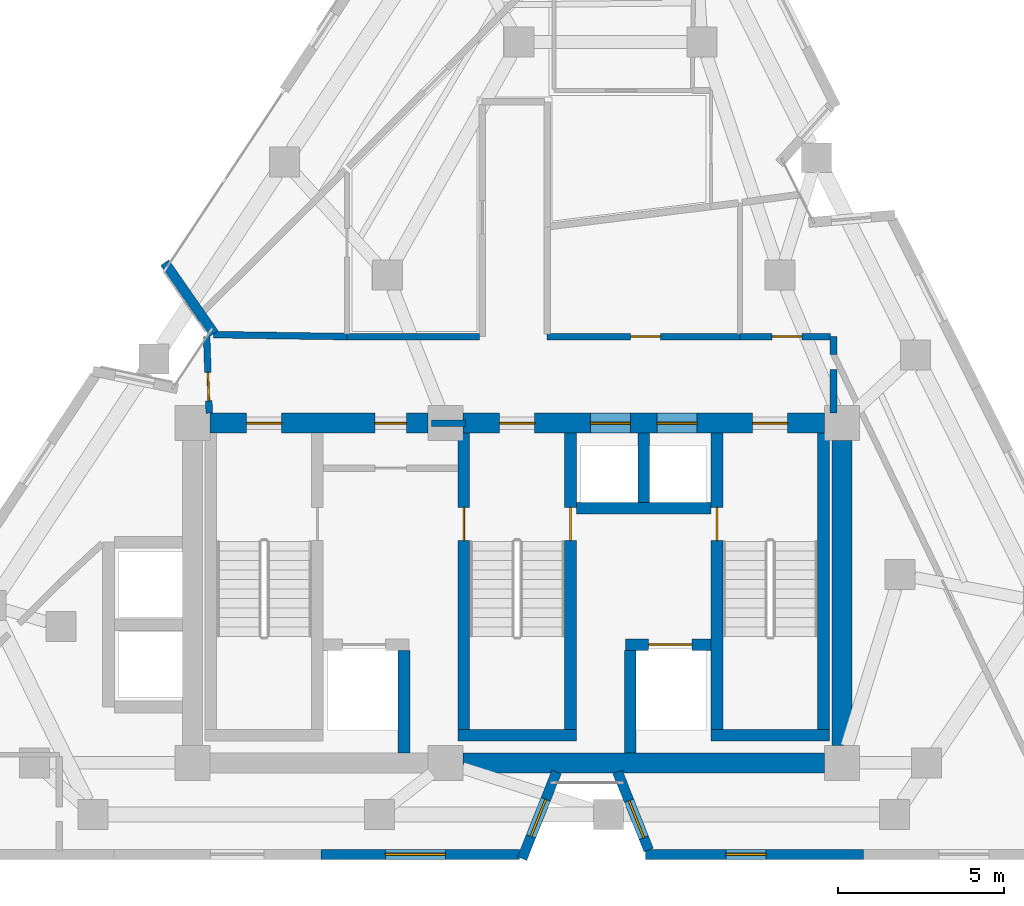
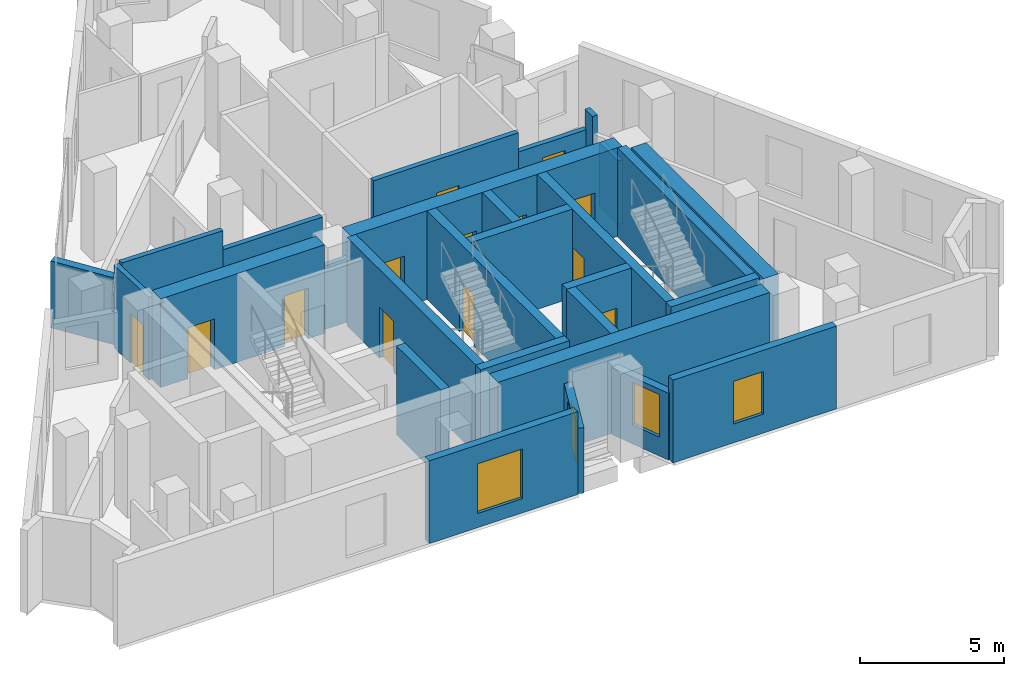
# One storey, part 5 of 8: 28 walls, 13 doors, 4 windows, 17 openings.
"""IFC4 building model written with IfcOpenShell, lengths in metres."""

from ifc_helpers import new_model, si_unit, direction, frame, frame_2d, origin, place, context, subcontext, project, spatial, rectangle, extrude, material, layer, layer_set, type_object, element, fill, save


model = new_model("IFC4")

# Units and contexts
model_context = context("Model", 3, precision=1e-05, world=origin(), true_north=direction((0.0, 1.0)))
body_context = subcontext(model_context, "Body", "Model", "MODEL_VIEW")
ifc_project = project(units=[si_unit("LENGTHUNIT", "METRE"), si_unit("AREAUNIT", "SQUARE_METRE"), si_unit("VOLUMEUNIT", "CUBIC_METRE"), si_unit("PLANEANGLEUNIT", "RADIAN"), si_unit("MASSUNIT", "GRAM", prefix="KILO")], contexts=[model_context])

# Site, building, storey
site_placement = place(None, origin())
site = spatial("IfcSite", under=ifc_project, at=site_placement, CompositionType="ELEMENT")
building_placement = place(site_placement, origin())
building = spatial("IfcBuilding", under=site, at=building_placement, Name="Almagre Mirador Tower", CompositionType="ELEMENT")
storey_placement = place(building_placement, frame((0.0, 0.0, 263.25)))
storey = spatial("IfcBuildingStorey", under=building, at=storey_placement, Name="L68", CompositionType="ELEMENT", Elevation=263.25)

# Wall
ifc_material_1 = material(Name="Precast concrete C50/60", Category="concrete")
ifc_layer_1 = layer(ifc_material_1, 0.300048828125)
ifc_layer_set_1 = layer_set([ifc_layer_1], Name="Precast concrete C50/60")
wall_type_1 = type_object("IfcWallType", Name="WAL-EXT-300", PredefinedType="SOLIDWALL", material=ifc_layer_set_1)
wall_1_placement = place(storey_placement, frame((28.19287109375, 17.443115234375, 0.0), z_axis=(0.0, 0.0, 1.0), x_axis=(-0.570819039355, 0.821075894367, 0.0)))
element("IfcWall", 1, at=wall_1_placement, inside=storey, type_object=wall_type_1, Name="L68 expressed almagre precast frame wall 02", PredefinedType="SOLIDWALL", context=body_context, shape_type="SweptSolid", body=[
    extrude(rectangle(XDim=2.593994140625, YDim=0.300048828125, at=frame_2d((1.296875, 0.0))), origin(), (0.0, 0.0, 1.0), 2.824951171875),
])

# Wall, opening, window
wall_2_placement = place(storey_placement, frame((47.699951171875, 1.800048828125, 0.0), z_axis=(0.0, 0.0, 1.0), x_axis=(-1.0, 0.0, 0.0)))
wall_2 = element("IfcWall", 2, at=wall_2_placement, inside=storey, type_object=wall_type_1, Name="L68 expressed almagre precast frame wall 21", PredefinedType="SOLIDWALL", context=body_context, shape_type="SweptSolid", body=[
    extrude(rectangle(XDim=6.5400390625, YDim=0.300048828125, at=frame_2d((3.27001953125, 0.0))), origin(), (0.0, 0.0, 1.0), 3.5),
])
opening_1_placement = place(wall_2_placement, frame((2.925048828125, 0.0, 0.800048828125)))
opening_1 = element("IfcOpeningElement", 3, at=opening_1_placement, cuts=wall_2, Name="Opening WN-04", PredefinedType="OPENING", context=body_context, shape_type="SweptSolid", body=[
    extrude(rectangle(XDim=1.199951171875, YDim=1.800048828125, at=frame_2d((0.60009765625, 0.89990234375))), frame((0.0, 0.159902, 0.0), z_axis=(0.0, -1.0, 0.0), x_axis=(1.0, 0.0, 0.0)), (0.0, 0.0, 1.0), 0.320049),
])
ifc_material_2 = material(Name="Dark solar-control laminated hurricane glass", Category="glass")
window_type_1 = type_object("IfcWindowType", Name="WIN-1200X1800", PartitioningType="SINGLE_PANEL", PredefinedType="WINDOW", material=ifc_material_2)
window_1_placement = place(opening_1_placement, origin())
window_1 = element("IfcWindow", 4, at=window_1_placement, inside=storey, type_object=window_type_1, Name="L68 recessed hurricane window L68-UB-BT", OverallHeight=1.800048828125, OverallWidth=1.199951171875, PartitioningType="SINGLE_PANEL", PredefinedType="WINDOW", context=body_context, shape_type="SweptSolid", body=[
    extrude(rectangle(XDim=1.199951171875, YDim=1.800048828125, at=frame_2d((0.60009765625, 0.89990234375))), frame((0.0, 0.030029296875, 0.0), z_axis=(0.0, -1.0, 0.0), x_axis=(1.0, 0.0, 0.0)), (0.0, 0.0, 1.0), 0.06005859375),
])
fill(opening_1, window_1)

wall_3_placement = place(storey_placement, frame((41.248291015625, 1.93017578125, 0.0), z_axis=(0.0, 0.0, 1.0), x_axis=(-0.36953712681, 0.929215966236, 0.0)))
wall_3 = element("IfcWall", 5, at=wall_3_placement, inside=storey, type_object=wall_type_1, Name="L68 expressed almagre precast frame wall 22", PredefinedType="SOLIDWALL", context=body_context, shape_type="SweptSolid", body=[
    extrude(rectangle(XDim=2.521728515625, YDim=0.300048828125, at=frame_2d((1.2607421875, 0.0))), origin(), (0.0, 0.0, 1.0), 2.824951171875),
])
opening_2_placement = place(wall_3_placement, frame((0.39501953125, 0.0, 0.800048828125)))
opening_2 = element("IfcOpeningElement", 6, at=opening_2_placement, cuts=wall_3, Name="Opening WN-04", PredefinedType="OPENING", context=body_context, shape_type="SweptSolid", body=[
    extrude(rectangle(XDim=1.199951171875, YDim=1.800048828125, at=frame_2d((0.60009765625, 0.89990234375))), frame((0.0, 0.159902, 0.0), z_axis=(0.0, -1.0, 0.0), x_axis=(1.0, 0.0, 0.0)), (0.0, 0.0, 1.0), 0.320049),
])
window_2_placement = place(opening_2_placement, origin())
window_2 = element("IfcWindow", 7, at=window_2_placement, inside=storey, type_object=window_type_1, Name="L68 recessed hurricane window L68-UB-BT", OverallHeight=1.800048828125, OverallWidth=1.199951171875, PartitioningType="SINGLE_PANEL", PredefinedType="WINDOW", context=body_context, shape_type="SweptSolid", body=[
    extrude(rectangle(XDim=1.199951171875, YDim=1.800048828125, at=frame_2d((0.60009765625, 0.89990234375))), frame((0.0, 0.030029296875, 0.0), z_axis=(0.0, -1.0, 0.0), x_axis=(1.0, 0.0, 0.0)), (0.0, 0.0, 1.0), 0.06005859375),
])
fill(opening_2, window_2)

wall_4_placement = place(storey_placement, frame((38.483642578125, 4.2734375, 0.0), z_axis=(0.0, 0.0, 1.0), x_axis=(-0.369542065233, -0.929214002275, 0.0)))
wall_4 = element("IfcWall", 8, at=wall_4_placement, inside=storey, type_object=wall_type_1, Name="L68 expressed almagre precast frame wall 23", PredefinedType="SOLIDWALL", context=body_context, shape_type="SweptSolid", body=[
    extrude(rectangle(XDim=2.8017578125, YDim=0.300048828125, at=frame_2d((1.40087890625, 0.0))), origin(), (0.0, 0.0, 1.0), 2.76904296875),
])
opening_3_placement = place(wall_4_placement, frame((0.883056640625, 0.0, 0.800048828125)))
opening_3 = element("IfcOpeningElement", 9, at=opening_3_placement, cuts=wall_4, Name="Opening WN-04", PredefinedType="OPENING", context=body_context, shape_type="SweptSolid", body=[
    extrude(rectangle(XDim=1.199951171875, YDim=1.800048828125, at=frame_2d((0.60009765625, 0.89990234375))), frame((0.0, 0.159902, 0.0), z_axis=(0.0, -1.0, 0.0), x_axis=(1.0, 0.0, 0.0)), (0.0, 0.0, 1.0), 0.320049),
])
window_3_placement = place(opening_3_placement, origin())
window_3 = element("IfcWindow", 10, at=window_3_placement, inside=storey, type_object=window_type_1, Name="L68 recessed hurricane window L68-UB-BT", OverallHeight=1.800048828125, OverallWidth=1.199951171875, PartitioningType="SINGLE_PANEL", PredefinedType="WINDOW", context=body_context, shape_type="SweptSolid", body=[
    extrude(rectangle(XDim=1.199951171875, YDim=1.800048828125, at=frame_2d((0.60009765625, 0.89990234375))), frame((0.0, 0.030029296875, 0.0), z_axis=(0.0, -1.0, 0.0), x_axis=(1.0, 0.0, 0.0)), (0.0, 0.0, 1.0), 0.06005859375),
])
fill(opening_3, window_3)

wall_5_placement = place(storey_placement, frame((37.364990234375, 1.800048828125, 0.0), z_axis=(0.0, 0.0, 1.0), x_axis=(-1.0, 0.0, 0.0)))
wall_5 = element("IfcWall", 11, at=wall_5_placement, inside=storey, type_object=wall_type_1, Name="L68 expressed almagre precast frame wall 24", PredefinedType="SOLIDWALL", context=body_context, shape_type="SweptSolid", body=[
    extrude(rectangle(XDim=5.95166015625, YDim=0.300048828125, at=frame_2d((2.975830078125, 0.0))), origin(), (0.0, 0.0, 1.0), 3.5),
])
opening_4_placement = place(wall_5_placement, frame((2.22509765625, 0.0, 0.60009765625)))
opening_4 = element("IfcOpeningElement", 12, at=opening_4_placement, cuts=wall_5, Name="Opening WN-01", PredefinedType="OPENING", context=body_context, shape_type="SweptSolid", body=[
    extrude(rectangle(XDim=1.800048828125, YDim=2.10009765625, at=frame_2d((0.89990234375, 1.050048828125))), frame((0.0, 0.159902, 0.0), z_axis=(0.0, -1.0, 0.0), x_axis=(1.0, 0.0, 0.0)), (0.0, 0.0, 1.0), 0.320049),
])
ifc_material_3 = material(Name="Dark solar-control laminated hurricane glass", Category="glass")
window_type_2 = type_object("IfcWindowType", Name="WIN-1800X2100", PartitioningType="DOUBLE_PANEL_VERTICAL", PredefinedType="WINDOW", material=ifc_material_3)
window_4_placement = place(opening_4_placement, origin())
window_4 = element("IfcWindow", 13, at=window_4_placement, inside=storey, type_object=window_type_2, Name="L68 recessed hurricane window L68-UB-ST", OverallHeight=2.10009765625, OverallWidth=1.800048828125, PartitioningType="SINGLE_PANEL", PredefinedType="WINDOW", context=body_context, shape_type="SweptSolid", body=[
    extrude(rectangle(XDim=1.800048828125, YDim=2.10009765625, at=frame_2d((0.89990234375, 1.050048828125))), frame((0.0, 0.030029296875, 0.0), z_axis=(0.0, -1.0, 0.0), x_axis=(1.0, 0.0, 0.0)), (0.0, 0.0, 1.0), 0.06005859375),
])
fill(opening_4, window_4)

# Walls
ifc_material_4 = material(Name="Gypsum acoustic stud partition", Category="other")
ifc_layer_2 = layer(ifc_material_4, 0.199951171875)
ifc_layer_set_2 = layer_set([ifc_layer_2], Name="Gypsum acoustic stud partition")
wall_type_2 = type_object("IfcWallType", Name="WAL-PRT-200-EI60", PredefinedType="PARTITIONING", material=ifc_layer_set_2)
wall_6_placement = place(storey_placement, frame((34.719970703125, 14.75, 0.0), z_axis=(0.0, 0.0, 1.0), x_axis=(1.0, 0.0, 0.0)))
element("IfcWall", 14, at=wall_6_placement, inside=storey, type_object=wall_type_2, Name="L68 core north closure wall", PredefinedType="PARTITIONING", context=body_context, shape_type="SweptSolid", body=[
    extrude(rectangle(XDim=1.030029296875, YDim=0.199951171875, at=frame_2d((0.51513671875, 0.0))), origin(), (0.0, 0.0, 1.0), 2.68505859375),
])
wall_7_placement = place(storey_placement, frame((46.800048828125, 15.050048828125, 0.0), z_axis=(0.0, 0.0, 1.0), x_axis=(0.0, 1.0, 0.0)))
element("IfcWall", 15, at=wall_7_placement, inside=storey, type_object=wall_type_2, Name="L68 interior partition 001", PredefinedType="PARTITIONING", context=body_context, shape_type="SweptSolid", body=[
    extrude(rectangle(XDim=1.30810546875, YDim=0.199951171875, at=frame_2d((0.654052734375, 0.0))), origin(), (0.0, 0.0, 1.0), 2.68505859375),
])

# Wall, opening, door
wall_8_placement = place(storey_placement, frame((27.97509765625, 17.35009765625, 0.0), z_axis=(0.0, 0.0, 1.0), x_axis=(0.032569486082, -0.999469473559, 0.0)))
wall_8 = element("IfcWall", 16, at=wall_8_placement, inside=storey, type_object=wall_type_2, Name="L68 interior partition 002", PredefinedType="PARTITIONING", context=body_context, shape_type="SweptSolid", body=[
    extrude(rectangle(XDim=2.30126953125, YDim=0.199951171875, at=frame_2d((1.150634765625, 0.0))), origin(), (0.0, 0.0, 1.0), 3.5),
])
opening_5_placement = place(wall_8_placement, frame((1.076904296875, 0.0, 0.0)))
opening_5 = element("IfcOpeningElement", 17, at=opening_5_placement, cuts=wall_8, Name="Opening ID-06", PredefinedType="OPENING", context=body_context, shape_type="SweptSolid", body=[
    extrude(rectangle(XDim=0.85009765625, YDim=2.10009765625, at=frame_2d((0.425048828125, 1.050048828125))), frame((0.0, 0.110098, 0.0), z_axis=(0.0, -1.0, 0.0), x_axis=(1.0, 0.0, 0.0)), (0.0, 0.0, 1.0), 0.219951),
])
ifc_material_5 = material(Name="Fire-rated hollow steel", Category="steel")
door_type_1 = type_object("IfcDoorType", Name="DOR-FD60-850X2100", OperationType="NOTDEFINED", PredefinedType="DOOR", material=ifc_material_5)
door_1_placement = place(opening_5_placement, origin())
door_1 = element("IfcDoor", 18, at=door_1_placement, inside=storey, type_object=door_type_1, Name="DR-2077 L68 interior door L68-RCOR to L68-RST-D", OperationType="SINGLE_SWING_RIGHT", OverallHeight=2.10009765625, OverallWidth=0.85009765625, PredefinedType="DOOR", context=body_context, shape_type="SweptSolid", body=[
    extrude(rectangle(XDim=0.85009765625, YDim=2.10009765625, at=frame_2d((0.425048828125, 1.050048828125))), frame((0.0, 0.02490234375, 0.0), z_axis=(0.0, -1.0, 0.0), x_axis=(1.0, 0.0, 0.0)), (0.0, 0.0, 1.0), 0.050048828125),
])
fill(opening_5, door_1)

# Wall
wall_9_placement = place(storey_placement, frame((46.800048828125, 16.820068359375, 0.0), z_axis=(0.0, 0.0, 1.0), x_axis=(0.0, 1.0, 0.0)))
element("IfcWall", 19, at=wall_9_placement, inside=storey, type_object=wall_type_2, Name="L68 interior partition 003", PredefinedType="PARTITIONING", context=body_context, shape_type="SweptSolid", body=[
    extrude(rectangle(XDim=0.530029296875, YDim=0.199951171875, at=frame_2d((0.26513671875, 0.0))), origin(), (0.0, 0.0, 1.0), 3.5),
])

# Wall, opening, door
wall_10_placement = place(storey_placement, frame((46.715087890625, 17.35009765625, 0.0), z_axis=(0.0, 0.0, 1.0), x_axis=(-1.0, 0.0, 0.0)))
wall_10 = element("IfcWall", 20, at=wall_10_placement, inside=storey, type_object=wall_type_2, Name="L68 interior partition 004", PredefinedType="PARTITIONING", context=body_context, shape_type="SweptSolid", body=[
    extrude(rectangle(XDim=2.715087890625, YDim=0.199951171875, at=frame_2d((1.357421875, 0.0))), origin(), (0.0, 0.0, 1.0), 2.68505859375),
])
opening_6_placement = place(wall_10_placement, frame((0.864990234375, 0.0, 0.0)))
opening_6 = element("IfcOpeningElement", 21, at=opening_6_placement, cuts=wall_10, Name="Opening ID-03", PredefinedType="OPENING", context=body_context, shape_type="SweptSolid", body=[
    extrude(rectangle(XDim=0.89990234375, YDim=2.10009765625, at=frame_2d((0.449951171875, 1.050048828125))), frame((0.0, 0.110098, 0.0), z_axis=(0.0, -1.0, 0.0), x_axis=(1.0, 0.0, 0.0)), (0.0, 0.0, 1.0), 0.219951),
])
ifc_material_6 = material(Name="Fire-rated hollow steel", Category="steel")
door_type_2 = type_object("IfcDoorType", Name="DOR-FD60-900X2100", OperationType="NOTDEFINED", PredefinedType="DOOR", material=ifc_material_6)
door_2_placement = place(opening_6_placement, origin())
door_2 = element("IfcDoor", 22, at=door_2_placement, inside=storey, type_object=door_type_2, Name="DR-2078 L68 interior door L68-RCOR to L68-RST-E", OperationType="SINGLE_SWING_LEFT", OverallHeight=2.10009765625, OverallWidth=0.89990234375, PredefinedType="DOOR", context=body_context, shape_type="SweptSolid", body=[
    extrude(rectangle(XDim=0.89990234375, YDim=2.10009765625, at=frame_2d((0.449951171875, 1.050048828125))), frame((0.0, 0.02490234375, 0.0), z_axis=(0.0, -1.0, 0.0), x_axis=(1.0, 0.0, 0.0)), (0.0, 0.0, 1.0), 0.050048828125),
])
fill(opening_6, door_2)

wall_11_placement = place(storey_placement, frame((44.0, 17.35009765625, 0.0), z_axis=(0.0, 0.0, 1.0), x_axis=(-1.0, 0.0, 0.0)))
wall_11 = element("IfcWall", 23, at=wall_11_placement, inside=storey, type_object=wall_type_2, Name="L68 interior partition 005", PredefinedType="PARTITIONING", context=body_context, shape_type="SweptSolid", body=[
    extrude(rectangle(XDim=5.800048828125, YDim=0.199951171875, at=frame_2d((2.89990234375, 0.0))), origin(), (0.0, 0.0, 1.0), 3.5),
])
opening_7_placement = place(wall_11_placement, frame((2.390869140625, 0.0, 0.0)))
opening_7 = element("IfcOpeningElement", 24, at=opening_7_placement, cuts=wall_11, Name="Opening ID-03", PredefinedType="OPENING", context=body_context, shape_type="SweptSolid", body=[
    extrude(rectangle(XDim=0.89990234375, YDim=2.10009765625, at=frame_2d((0.449951171875, 1.050048828125))), frame((0.0, 0.110098, 0.0), z_axis=(0.0, -1.0, 0.0), x_axis=(1.0, 0.0, 0.0)), (0.0, 0.0, 1.0), 0.219951),
])
door_3_placement = place(opening_7_placement, origin())
door_3 = element("IfcDoor", 25, at=door_3_placement, inside=storey, type_object=door_type_2, Name="DR-2079 L68 interior door L68-RCOR to L68-RST-F", OperationType="SINGLE_SWING_RIGHT", OverallHeight=2.10009765625, OverallWidth=0.89990234375, PredefinedType="DOOR", context=body_context, shape_type="SweptSolid", body=[
    extrude(rectangle(XDim=0.89990234375, YDim=2.10009765625, at=frame_2d((0.449951171875, 1.050048828125))), frame((0.0, 0.02490234375, 0.0), z_axis=(0.0, -1.0, 0.0), x_axis=(1.0, 0.0, 0.0)), (0.0, 0.0, 1.0), 0.050048828125),
])
fill(opening_7, door_3)

# Walls
wall_12_placement = place(storey_placement, frame((36.1650390625, 17.35009765625, 0.0), z_axis=(0.0, 0.0, 1.0), x_axis=(-1.0, 0.0, 0.0)))
element("IfcWall", 26, at=wall_12_placement, inside=storey, type_object=wall_type_2, Name="L68 interior partition 010", PredefinedType="PARTITIONING", context=body_context, shape_type="SweptSolid", body=[
    extrude(rectangle(XDim=3.97509765625, YDim=0.199951171875, at=frame_2d((1.987548828125, 0.0))), origin(), (0.0, 0.0, 1.0), 2.68505859375),
])
wall_13_placement = place(storey_placement, frame((32.18994140625, 17.35009765625, 0.0), z_axis=(0.0, 0.0, 1.0), x_axis=(-0.999888770764, 0.014914627022, 0.0)))
element("IfcWall", 27, at=wall_13_placement, inside=storey, type_object=wall_type_2, Name="L68 interior partition 011", PredefinedType="PARTITIONING", context=body_context, shape_type="SweptSolid", body=[
    extrude(rectangle(XDim=4.010498046875, YDim=0.199951171875, at=frame_2d((2.00537109375, 0.0))), origin(), (0.0, 0.0, 1.0), 3.5),
])

# Wall, opening, door
ifc_material_7 = material(Name="Concrete C60/75", Category="concrete")
ifc_layer_3 = layer(ifc_material_7, 0.35009765625)
ifc_layer_set_3 = layer_set([ifc_layer_3], Name="Concrete C60/75")
wall_type_3 = type_object("IfcWallType", Name="WAL-SHF-350", PredefinedType="SOLIDWALL", material=ifc_layer_set_3)
wall_14_placement = place(storey_placement, frame((35.699951171875, 5.199951171875, 0.0), z_axis=(0.0, 0.0, 1.0), x_axis=(0.0, 1.0, 0.0)))
wall_14 = element("IfcWall", 28, at=wall_14_placement, inside=storey, type_object=wall_type_3, Name="L68 shaft wall ST2-W", PredefinedType="SOLIDWALL", context=body_context, shape_type="SweptSolid", body=[
    extrude(rectangle(XDim=9.25, YDim=0.35009765625, at=frame_2d((4.625, 0.0))), origin(), (0.0, 0.0, 1.0), 3.75),
])
opening_8_placement = place(wall_14_placement, frame((6.02001953125, 0.0, 0.0)))
opening_8 = element("IfcOpeningElement", 29, at=opening_8_placement, cuts=wall_14, Name="Opening FD-01", PredefinedType="OPENING", context=body_context, shape_type="SweptSolid", body=[
    extrude(rectangle(XDim=1.0, YDim=2.14990234375, at=frame_2d((0.5, 1.074951171875))), frame((0.0, 0.185049, 0.0), z_axis=(0.0, -1.0, 0.0), x_axis=(1.0, 0.0, 0.0)), (0.0, 0.0, 1.0), 0.370098),
])
ifc_material_8 = material(Name="Fire-rated hollow steel", Category="steel")
door_type_3 = type_object("IfcDoorType", Name="DOR-FFL-1000X2150", OperationType="NOTDEFINED", PredefinedType="DOOR", material=ifc_material_8)
door_4_placement = place(opening_8_placement, origin())
door_4 = element("IfcDoor", 30, at=door_4_placement, inside=storey, type_object=door_type_3, Name="DR-2074 L68 FFL1-ST2 smokeproof door", OperationType="SINGLE_SWING_LEFT", OverallHeight=2.14990234375, OverallWidth=1.0, PredefinedType="DOOR", context=body_context, shape_type="SweptSolid", body=[
    extrude(rectangle(XDim=1.0, YDim=2.14990234375, at=frame_2d((0.5, 1.074951171875))), frame((0.0, 0.02490234375, 0.0), z_axis=(0.0, -1.0, 0.0), x_axis=(1.0, 0.0, 0.0)), (0.0, 0.0, 1.0), 0.050048828125),
])
fill(opening_8, door_4)

wall_15_placement = place(storey_placement, frame((38.89990234375, 5.199951171875, 0.0), z_axis=(0.0, 0.0, 1.0), x_axis=(0.0, 1.0, 0.0)))
wall_15 = element("IfcWall", 31, at=wall_15_placement, inside=storey, type_object=wall_type_3, Name="L68 shaft wall ST2-E", PredefinedType="SOLIDWALL", context=body_context, shape_type="SweptSolid", body=[
    extrude(rectangle(XDim=9.25, YDim=0.35009765625, at=frame_2d((4.625, 0.0))), origin(), (0.0, 0.0, 1.0), 3.75),
])
opening_9_placement = place(wall_15_placement, frame((6.02001953125, 0.0, 0.0)))
opening_9 = element("IfcOpeningElement", 32, at=opening_9_placement, cuts=wall_15, Name="Opening FD-01", PredefinedType="OPENING", context=body_context, shape_type="SweptSolid", body=[
    extrude(rectangle(XDim=1.0, YDim=2.14990234375, at=frame_2d((0.5, 1.074951171875))), frame((0.0, 0.185049, 0.0), z_axis=(0.0, -1.0, 0.0), x_axis=(1.0, 0.0, 0.0)), (0.0, 0.0, 1.0), 0.370098),
])
door_5_placement = place(opening_9_placement, origin())
door_5 = element("IfcDoor", 33, at=door_5_placement, inside=storey, type_object=door_type_3, Name="DR-2075 L68 FFL2-ST2 smokeproof door", OperationType="SINGLE_SWING_RIGHT", OverallHeight=2.14990234375, OverallWidth=1.0, PredefinedType="DOOR", context=body_context, shape_type="SweptSolid", body=[
    extrude(rectangle(XDim=1.0, YDim=2.14990234375, at=frame_2d((0.5, 1.074951171875))), frame((0.0, 0.02490234375, 0.0), z_axis=(0.0, -1.0, 0.0), x_axis=(1.0, 0.0, 0.0)), (0.0, 0.0, 1.0), 0.050048828125),
])
fill(opening_9, door_5)

# Wall
wall_16_placement = place(storey_placement, frame((35.52490234375, 5.375, 0.0), z_axis=(0.0, 0.0, 1.0), x_axis=(1.0, 0.0, 0.0)))
element("IfcWall", 34, at=wall_16_placement, inside=storey, type_object=wall_type_3, Name="L68 shaft wall ST2-S", PredefinedType="SOLIDWALL", context=body_context, shape_type="SweptSolid", body=[
    extrude(rectangle(XDim=3.550048828125, YDim=0.35009765625, at=frame_2d((1.77490234375, 0.0))), origin(), (0.0, 0.0, 1.0), 3.75),
])

# Wall, opening, door
wall_17_placement = place(storey_placement, frame((43.300048828125, 5.199951171875, 0.0), z_axis=(0.0, 0.0, 1.0), x_axis=(0.0, 1.0, 0.0)))
wall_17 = element("IfcWall", 35, at=wall_17_placement, inside=storey, type_object=wall_type_3, Name="L68 shaft wall ST3-W", PredefinedType="SOLIDWALL", context=body_context, shape_type="SweptSolid", body=[
    extrude(rectangle(XDim=9.25, YDim=0.35009765625, at=frame_2d((4.625, 0.0))), origin(), (0.0, 0.0, 1.0), 3.75),
])
opening_10_placement = place(wall_17_placement, frame((6.02001953125, 0.0, 0.0)))
opening_10 = element("IfcOpeningElement", 36, at=opening_10_placement, cuts=wall_17, Name="Opening FD-01", PredefinedType="OPENING", context=body_context, shape_type="SweptSolid", body=[
    extrude(rectangle(XDim=1.0, YDim=2.14990234375, at=frame_2d((0.5, 1.074951171875))), frame((0.0, 0.185049, 0.0), z_axis=(0.0, -1.0, 0.0), x_axis=(1.0, 0.0, 0.0)), (0.0, 0.0, 1.0), 0.370098),
])
door_6_placement = place(opening_10_placement, origin())
door_6 = element("IfcDoor", 37, at=door_6_placement, inside=storey, type_object=door_type_3, Name="DR-2076 L68 FFL2-ST3 smokeproof door", OperationType="SINGLE_SWING_LEFT", OverallHeight=2.14990234375, OverallWidth=1.0, PredefinedType="DOOR", context=body_context, shape_type="SweptSolid", body=[
    extrude(rectangle(XDim=1.0, YDim=2.14990234375, at=frame_2d((0.5, 1.074951171875))), frame((0.0, 0.02490234375, 0.0), z_axis=(0.0, -1.0, 0.0), x_axis=(1.0, 0.0, 0.0)), (0.0, 0.0, 1.0), 0.050048828125),
])
fill(opening_10, door_6)

# Walls
wall_18_placement = place(storey_placement, frame((46.5, 5.199951171875, 0.0), z_axis=(0.0, 0.0, 1.0), x_axis=(0.0, 1.0, 0.0)))
element("IfcWall", 38, at=wall_18_placement, inside=storey, type_object=wall_type_3, Name="L68 shaft wall ST3-E", PredefinedType="SOLIDWALL", context=body_context, shape_type="SweptSolid", body=[
    extrude(rectangle(XDim=9.25, YDim=0.35009765625, at=frame_2d((4.625, 0.0))), origin(), (0.0, 0.0, 1.0), 3.75),
])
wall_19_placement = place(storey_placement, frame((43.125, 5.375, 0.0), z_axis=(0.0, 0.0, 1.0), x_axis=(1.0, 0.0, 0.0)))
element("IfcWall", 39, at=wall_19_placement, inside=storey, type_object=wall_type_3, Name="L68 shaft wall ST3-S", PredefinedType="SOLIDWALL", context=body_context, shape_type="SweptSolid", body=[
    extrude(rectangle(XDim=3.550048828125, YDim=0.35009765625, at=frame_2d((1.77490234375, 0.0))), origin(), (0.0, 0.0, 1.0), 3.75),
])

# Wall, opening, door
wall_20_placement = place(storey_placement, frame((40.550048828125, 8.10009765625, 0.0), z_axis=(0.0, 0.0, 1.0), x_axis=(1.0, 0.0, 0.0)))
wall_20 = element("IfcWall", 40, at=wall_20_placement, inside=storey, type_object=wall_type_3, Name="L68 shaft wall FSAE2-N", PredefinedType="SOLIDWALL", context=body_context, shape_type="SweptSolid", body=[
    extrude(rectangle(XDim=2.574951171875, YDim=0.35009765625, at=frame_2d((1.28759765625, 0.0))), origin(), (0.0, 0.0, 1.0), 3.75),
])
opening_11_placement = place(wall_20_placement, frame((0.699951171875, 0.0, 0.0)))
opening_11 = element("IfcOpeningElement", 41, at=opening_11_placement, cuts=wall_20, Name="Opening LD-03", PredefinedType="OPENING", context=body_context, shape_type="SweptSolid", body=[
    extrude(rectangle(XDim=1.300048828125, YDim=2.25, at=frame_2d((0.64990234375, 1.125))), frame((0.0, 0.185049, 0.0), z_axis=(0.0, -1.0, 0.0), x_axis=(1.0, 0.0, 0.0)), (0.0, 0.0, 1.0), 0.370098),
])
ifc_material_9 = material(Name="Hollow stainless steel", Category="steel")
door_type_4 = type_object("IfcDoorType", Name="DOR-LD-1300X2250", OperationType="DOUBLE_DOOR_SLIDING", PredefinedType="DOOR", material=ifc_material_9)
door_7_placement = place(opening_11_placement, origin())
door_7 = element("IfcDoor", 42, at=door_7_placement, inside=storey, type_object=door_type_4, Name="DR-2089 L68 FSAE-2 lift landing door", OperationType="DOUBLE_DOOR_SLIDING", OverallHeight=2.25, OverallWidth=1.300048828125, PredefinedType="DOOR", context=body_context, shape_type="SweptSolid", body=[
    extrude(rectangle(XDim=1.300048828125, YDim=2.25, at=frame_2d((0.64990234375, 1.125))), frame((0.0, 0.02490234375, 0.0), z_axis=(0.0, -1.0, 0.0), x_axis=(1.0, 0.0, 0.0)), (0.0, 0.0, 1.0), 0.050048828125),
])
fill(opening_11, door_7)

# Walls
for number, where, z_axis, x_axis, name in (
    (43, (33.89990234375, 4.85009765625, 0.0), (0.0, 0.0, 1.0), (0.0, 1.0, 0.0), "L68 shaft wall FSAE1-E"),
    (44, (40.699951171875, 4.85009765625, 0.0), (0.0, 0.0, 1.0), (0.0, 1.0, 0.0), "L68 shaft wall FSAE2-W"),
):
    element("IfcWall", number, at=place(storey_placement, frame(where, z_axis=z_axis, x_axis=x_axis)), inside=storey, type_object=wall_type_3, Name=name, PredefinedType="SOLIDWALL", context=body_context, shape_type="SweptSolid", body=[
        extrude(rectangle(XDim=3.074951171875, YDim=0.35009765625, at=frame_2d((1.53759765625, 0.0))), origin(), (0.0, 0.0, 1.0), 3.75),
    ])
wall_21_placement = place(storey_placement, frame((39.074951171875, 12.199951171875, 0.0), z_axis=(0.0, 0.0, 1.0), x_axis=(1.0, 0.0, 0.0)))
element("IfcWall", 45, at=wall_21_placement, inside=storey, type_object=wall_type_3, Name="L68 shaft wall PLH-S", PredefinedType="SOLIDWALL", context=body_context, shape_type="SweptSolid", body=[
    extrude(rectangle(XDim=4.050048828125, YDim=0.35009765625, at=frame_2d((2.02490234375, 0.0))), origin(), (0.0, 0.0, 1.0), 3.75),
])
wall_22_placement = place(storey_placement, frame((41.10009765625, 12.375, 0.0), z_axis=(0.0, 0.0, 1.0), x_axis=(0.0, 1.0, 0.0)))
element("IfcWall", 46, at=wall_22_placement, inside=storey, type_object=wall_type_3, Name="L68 shaft wall PLH-M", PredefinedType="SOLIDWALL", context=body_context, shape_type="SweptSolid", body=[
    extrude(rectangle(XDim=2.074951171875, YDim=0.35009765625, at=frame_2d((1.03759765625, 0.0))), origin(), (0.0, 0.0, 1.0), 3.75),
])
ifc_material_10 = material(Name="Concrete C60/75", Category="concrete")
ifc_layer_4 = layer(ifc_material_10, 0.60009765625)
ifc_layer_set_4 = layer_set([ifc_layer_4], Name="Concrete C60/75")
wall_type_4 = type_object("IfcWallType", Name="WAL-SHR-600", PredefinedType="SHEAR", material=ifc_layer_set_4)
wall_23_placement = place(storey_placement, frame((35.675048828125, 4.550048828125, 0.0), z_axis=(0.0, 0.0, 1.0), x_axis=(1.0, 0.0, 0.0)))
element("IfcWall", 47, at=wall_23_placement, inside=storey, type_object=wall_type_4, Name="L68 core shear wall S2", PredefinedType="SHEAR", context=body_context, shape_type="SweptSolid", body=[
    extrude(rectangle(XDim=10.849853515625, YDim=0.60009765625, at=frame_2d((5.4248046875, 0.0))), origin(), (0.0, 0.0, 1.0), 3.75),
])

# Wall, openings, doors
wall_24_placement = place(storey_placement, frame((28.074951171875, 14.75, 0.0), z_axis=(0.0, 0.0, 1.0), x_axis=(1.0, 0.0, 0.0)))
wall_24 = element("IfcWall", 48, at=wall_24_placement, inside=storey, type_object=wall_type_4, Name="L68 core shear wall N1", PredefinedType="SHEAR", context=body_context, shape_type="SweptSolid", body=[
    extrude(rectangle(XDim=6.550048828125, YDim=0.60009765625, at=frame_2d((3.27490234375, 0.0))), origin(), (0.0, 0.0, 1.0), 3.75),
])
opening_12_placement = place(wall_24_placement, frame((1.10009765625, 0.0, 0.0)))
opening_12 = element("IfcOpeningElement", 49, at=opening_12_placement, cuts=wall_24, Name="Opening SD-01", PredefinedType="OPENING", context=body_context, shape_type="SweptSolid", body=[
    extrude(rectangle(XDim=1.050048828125, YDim=2.14990234375, at=frame_2d((0.52490234375, 1.074951171875))), frame((0.0, 0.310049, 0.0), z_axis=(0.0, -1.0, 0.0), x_axis=(1.0, 0.0, 0.0)), (0.0, 0.0, 1.0), 0.620098),
])
opening_13_placement = place(wall_24_placement, frame((4.949951171875, 0.0, 0.0)))
opening_13 = element("IfcOpeningElement", 50, at=opening_13_placement, cuts=wall_24, Name="Opening FD-02", PredefinedType="OPENING", context=body_context, shape_type="SweptSolid", body=[
    extrude(rectangle(XDim=0.949951171875, YDim=2.14990234375, at=frame_2d((0.47509765625, 1.074951171875))), frame((0.0, 0.310049, 0.0), z_axis=(0.0, -1.0, 0.0), x_axis=(1.0, 0.0, 0.0)), (0.0, 0.0, 1.0), 0.620098),
])
ifc_material_11 = material(Name="Fire-rated hollow steel", Category="steel")
door_type_5 = type_object("IfcDoorType", Name="DOR-FD90-950X2150", OperationType="NOTDEFINED", PredefinedType="DOOR", material=ifc_material_11)
door_8_placement = place(opening_13_placement, origin())
door_8 = element("IfcDoor", 51, at=door_8_placement, inside=storey, type_object=door_type_5, Name="DR-2071 L68 core equipment room north door", OperationType="SINGLE_SWING_LEFT", OverallHeight=2.14990234375, OverallWidth=0.949951171875, PredefinedType="DOOR", context=body_context, shape_type="SweptSolid", body=[
    extrude(rectangle(XDim=0.949951171875, YDim=2.14990234375, at=frame_2d((0.47509765625, 1.074951171875))), frame((0.0, 0.02490234375, 0.0), z_axis=(0.0, -1.0, 0.0), x_axis=(1.0, 0.0, 0.0)), (0.0, 0.0, 1.0), 0.050048828125),
])
fill(opening_13, door_8)
ifc_material_12 = material(Name="Fire-rated hollow steel", Category="steel")
door_type_6 = type_object("IfcDoorType", Name="DOR-ST-1050X2150", OperationType="NOTDEFINED", PredefinedType="DOOR", material=ifc_material_12)
door_9_placement = place(opening_12_placement, origin())
door_9 = element("IfcDoor", 52, at=door_9_placement, inside=storey, type_object=door_type_6, Name="DR-2092 L68 protected exit stair ST-1 door", OperationType="SINGLE_SWING_LEFT", OverallHeight=2.14990234375, OverallWidth=1.050048828125, PredefinedType="DOOR", context=body_context, shape_type="SweptSolid", body=[
    extrude(rectangle(XDim=1.050048828125, YDim=2.14990234375, at=frame_2d((0.52490234375, 1.074951171875))), frame((0.0, 0.02490234375, 0.0), z_axis=(0.0, -1.0, 0.0), x_axis=(1.0, 0.0, 0.0)), (0.0, 0.0, 1.0), 0.050048828125),
])
fill(opening_12, door_9)

wall_25_placement = place(storey_placement, frame((35.675048828125, 14.75, 0.0), z_axis=(0.0, 0.0, 1.0), x_axis=(1.0, 0.0, 0.0)))
wall_25 = element("IfcWall", 53, at=wall_25_placement, inside=storey, type_object=wall_type_4, Name="L68 core shear wall N2", PredefinedType="SHEAR", context=body_context, shape_type="SweptSolid", body=[
    extrude(rectangle(XDim=10.849853515625, YDim=0.60009765625, at=frame_2d((5.4248046875, 0.0))), origin(), (0.0, 0.0, 1.0), 3.75),
])
opening_14_placement = place(wall_25_placement, frame((1.10009765625, 0.0, 0.0)))
opening_14 = element("IfcOpeningElement", 54, at=opening_14_placement, cuts=wall_25, Name="Opening SD-01", PredefinedType="OPENING", context=body_context, shape_type="SweptSolid", body=[
    extrude(rectangle(XDim=1.050048828125, YDim=2.14990234375, at=frame_2d((0.52490234375, 1.074951171875))), frame((0.0, 0.310049, 0.0), z_axis=(0.0, -1.0, 0.0), x_axis=(1.0, 0.0, 0.0)), (0.0, 0.0, 1.0), 0.620098),
])
opening_15_placement = place(wall_25_placement, frame((8.699951171875, 0.0, 0.0)))
opening_15 = element("IfcOpeningElement", 55, at=opening_15_placement, cuts=wall_25, Name="Opening SD-01", PredefinedType="OPENING", context=body_context, shape_type="SweptSolid", body=[
    extrude(rectangle(XDim=1.050048828125, YDim=2.14990234375, at=frame_2d((0.52490234375, 1.074951171875))), frame((0.0, 0.310049, 0.0), z_axis=(0.0, -1.0, 0.0), x_axis=(1.0, 0.0, 0.0)), (0.0, 0.0, 1.0), 0.620098),
])
opening_16_placement = place(wall_25_placement, frame((3.824951171875, 0.0, 0.0)))
opening_16 = element("IfcOpeningElement", 56, at=opening_16_placement, cuts=wall_25, Name="Opening LD-02", PredefinedType="OPENING", context=body_context, shape_type="SweptSolid", body=[
    extrude(rectangle(XDim=1.199951171875, YDim=2.199951171875, at=frame_2d((0.60009765625, 1.10009765625))), frame((0.0, 0.310049, 0.0), z_axis=(0.0, -1.0, 0.0), x_axis=(1.0, 0.0, 0.0)), (0.0, 0.0, 1.0), 0.620098),
])
opening_17_placement = place(wall_25_placement, frame((5.824951171875, 0.0, 0.0)))
opening_17 = element("IfcOpeningElement", 57, at=opening_17_placement, cuts=wall_25, Name="Opening LD-02", PredefinedType="OPENING", context=body_context, shape_type="SweptSolid", body=[
    extrude(rectangle(XDim=1.199951171875, YDim=2.199951171875, at=frame_2d((0.60009765625, 1.10009765625))), frame((0.0, 0.310049, 0.0), z_axis=(0.0, -1.0, 0.0), x_axis=(1.0, 0.0, 0.0)), (0.0, 0.0, 1.0), 0.620098),
])
ifc_material_13 = material(Name="Hollow stainless steel", Category="steel")
door_type_7 = type_object("IfcDoorType", Name="DOR-LD-1200X2200", OperationType="DOUBLE_DOOR_SLIDING", PredefinedType="DOOR", material=ifc_material_13)
door_10_placement = place(opening_16_placement, origin())
door_10 = element("IfcDoor", 58, at=door_10_placement, inside=storey, type_object=door_type_7, Name="DR-2090 L68 PL-H1 lift landing door", OperationType="DOUBLE_DOOR_SLIDING", OverallHeight=2.199951171875, OverallWidth=1.199951171875, PredefinedType="DOOR", context=body_context, shape_type="SweptSolid", body=[
    extrude(rectangle(XDim=1.199951171875, YDim=2.199951171875, at=frame_2d((0.60009765625, 1.10009765625))), frame((0.0, 0.02490234375, 0.0), z_axis=(0.0, -1.0, 0.0), x_axis=(1.0, 0.0, 0.0)), (0.0, 0.0, 1.0), 0.050048828125),
])
fill(opening_16, door_10)
door_11_placement = place(opening_17_placement, origin())
door_11 = element("IfcDoor", 59, at=door_11_placement, inside=storey, type_object=door_type_7, Name="DR-2091 L68 PL-H2 lift landing door", OperationType="DOUBLE_DOOR_SLIDING", OverallHeight=2.199951171875, OverallWidth=1.199951171875, PredefinedType="DOOR", context=body_context, shape_type="SweptSolid", body=[
    extrude(rectangle(XDim=1.199951171875, YDim=2.199951171875, at=frame_2d((0.60009765625, 1.10009765625))), frame((0.0, 0.02490234375, 0.0), z_axis=(0.0, -1.0, 0.0), x_axis=(1.0, 0.0, 0.0)), (0.0, 0.0, 1.0), 0.050048828125),
])
fill(opening_17, door_11)
door_12_placement = place(opening_14_placement, origin())
door_12 = element("IfcDoor", 60, at=door_12_placement, inside=storey, type_object=door_type_6, Name="DR-2093 L68 protected exit stair ST-2 door", OperationType="SINGLE_SWING_RIGHT", OverallHeight=2.14990234375, OverallWidth=1.050048828125, PredefinedType="DOOR", context=body_context, shape_type="SweptSolid", body=[
    extrude(rectangle(XDim=1.050048828125, YDim=2.14990234375, at=frame_2d((0.52490234375, 1.074951171875))), frame((0.0, 0.02490234375, 0.0), z_axis=(0.0, -1.0, 0.0), x_axis=(1.0, 0.0, 0.0)), (0.0, 0.0, 1.0), 0.050048828125),
])
fill(opening_14, door_12)
door_13_placement = place(opening_15_placement, origin())
door_13 = element("IfcDoor", 61, at=door_13_placement, inside=storey, type_object=door_type_6, Name="DR-2094 L68 protected exit stair ST-3 door", OperationType="SINGLE_SWING_LEFT", OverallHeight=2.14990234375, OverallWidth=1.050048828125, PredefinedType="DOOR", context=body_context, shape_type="SweptSolid", body=[
    extrude(rectangle(XDim=1.050048828125, YDim=2.14990234375, at=frame_2d((0.52490234375, 1.074951171875))), frame((0.0, 0.02490234375, 0.0), z_axis=(0.0, -1.0, 0.0), x_axis=(1.0, 0.0, 0.0)), (0.0, 0.0, 1.0), 0.050048828125),
])
fill(opening_15, door_13)

# Wall
wall_26_placement = place(storey_placement, frame((47.050048828125, 5.074951171875, 0.0), z_axis=(0.0, 0.0, 1.0), x_axis=(0.0, 1.0, 0.0)))
element("IfcWall", 62, at=wall_26_placement, inside=storey, type_object=wall_type_4, Name="L68 core shear wall E1", PredefinedType="SHEAR", context=body_context, shape_type="SweptSolid", body=[
    extrude(rectangle(XDim=9.150146484375, YDim=0.60009765625, at=frame_2d((4.5751953125, 0.0))), origin(), (0.0, 0.0, 1.0), 3.75),
])

save(model, "model.ifc")
